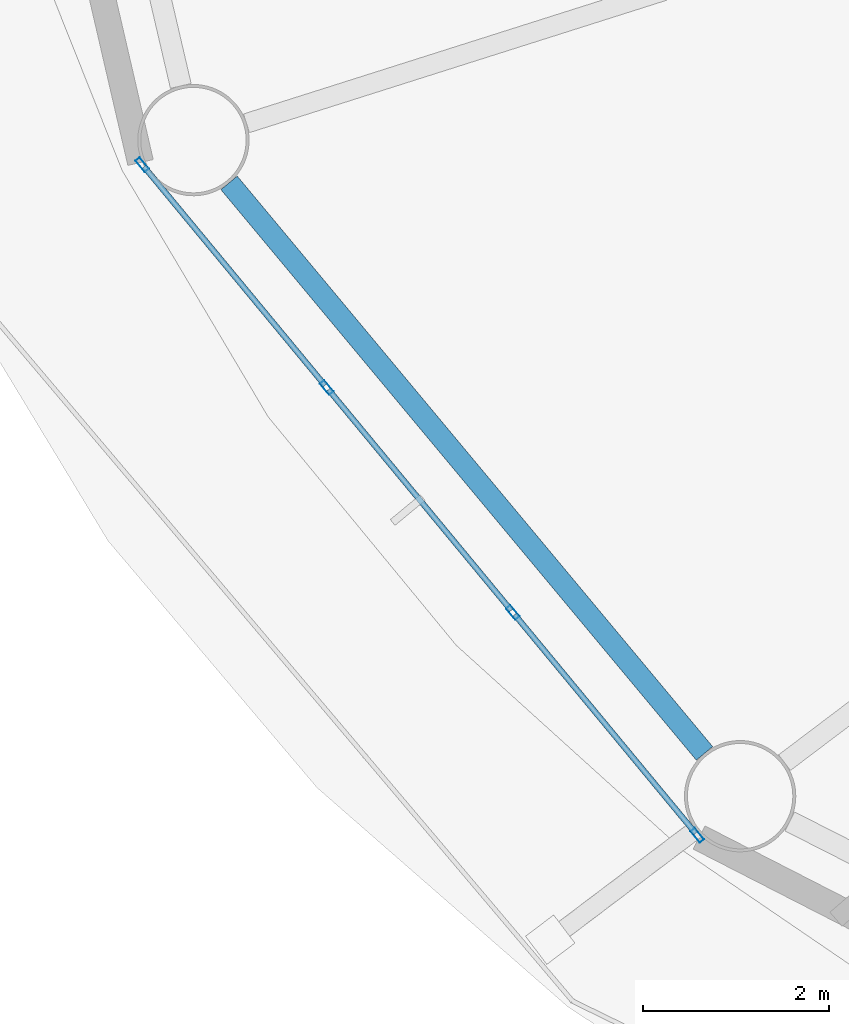
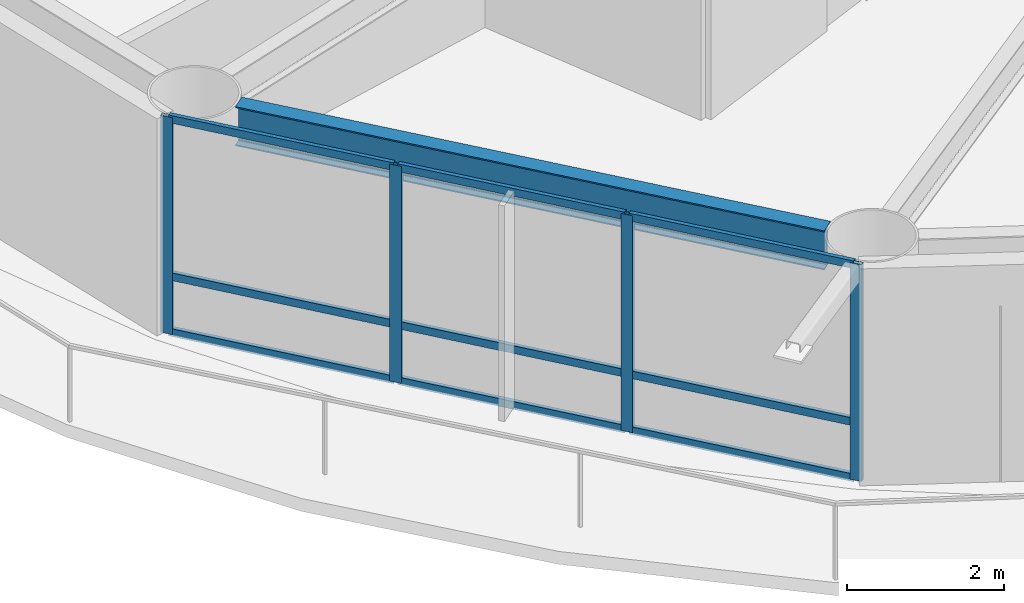
# One storey, part 2 of 24: 13 members, 1 beam, 1 element without a shape of its own.
"""IFC4 building model written with IfcOpenShell, lengths in metres."""

from ifc_helpers import new_model, si_unit, direction, frame, origin, origin_2d, place, context, subcontext, project, spatial, hollow_rectangle, i_section, extrude, material, layer, layer_set, material_profile, profile_set, type_object, element, aggregate, save


model = new_model("IFC4")

# Units and contexts
model_context = context("Model", 3, precision=1e-05, world=origin(), true_north=direction((0.0, 1.0)))
body_context = subcontext(model_context, "Body", "Model", "MODEL_VIEW")
ifc_project = project(units=[si_unit("LENGTHUNIT", "METRE"), si_unit("AREAUNIT", "SQUARE_METRE"), si_unit("VOLUMEUNIT", "CUBIC_METRE"), si_unit("PLANEANGLEUNIT", "RADIAN"), si_unit("MASSUNIT", "GRAM", prefix="KILO")], contexts=[model_context])

# Site, building, storey
site_placement = place(None, origin())
site = spatial("IfcSite", under=ifc_project, at=site_placement, CompositionType="ELEMENT")
building_placement = place(site_placement, origin())
building = spatial("IfcBuilding", under=site, at=building_placement, Name="Sarneth Arch Tower", CompositionType="ELEMENT")
storey_placement = place(building_placement, frame((0.0, 0.0, 105.60009765625)))
storey = spatial("IfcBuildingStorey", under=building, at=storey_placement, Name="L26", CompositionType="ELEMENT", Elevation=105.60009765625)

# Beam
ifc_material_1 = material(Name="Steel S355", Category="steel")
ifc_material_profile_1 = material_profile(ifc_material_1, i_section(OverallWidth=0.22900390625, OverallDepth=0.612060546875, WebThickness=0.011962890625, FlangeThickness=0.01953125, FilletRadius=0.01904296875, at=origin_2d()), Name="W610x125")
ifc_profile_set_1 = profile_set([ifc_material_profile_1], Name="Steel S355")
beam_type = type_object("IfcBeamType", Name="BM-SPAN-610C", PredefinedType="SPANDREL", material=ifc_profile_set_1)
beam_placement = place(storey_placement, frame((22.093017578125, 33.196533203125, 3.073974609375), z_axis=(0.640163403463, -0.768238775946, 0.0), x_axis=(0.768238775946, 0.640163403463, 0.0)))
element("IfcBeam", 1, at=beam_placement, inside=storey, type_object=beam_type, Name="L26 Perimeter spandrel beam 10", PredefinedType="SPANDREL", context=body_context, shape_type="SweptSolid", body=[
    extrude(i_section(OverallWidth=0.22900390625, OverallDepth=0.612060546875, WebThickness=0.011962890625, FlangeThickness=0.01953125, FilletRadius=0.01904296875, at=origin_2d()), origin(), (0.0, 0.0, 1.0), 8.006103515625),
])

# Curtain wall, members
ifc_material_2 = material(Name="Anodised aluminium Type AA25 and solar-control low-e laminated IGU", Category="aluminium")
ifc_layer = layer(ifc_material_2, 0.159912109375)
ifc_layer_set = layer_set([ifc_layer], Name="Anodised aluminium Type AA25 and solar-control low-e laminated IGU")
curtain_wall_type = type_object("IfcCurtainWallType", Name="CW-HOTEL-MID", PredefinedType="NOTDEFINED", material=ifc_layer_set)
curtain_wall_placement = place(storey_placement, origin())
curtain_wall = element("IfcCurtainWall", 2, at=curtain_wall_placement, inside=storey, type_object=curtain_wall_type, Name="L26 Unitised curtain wall facet 10", PredefinedType="NOTDEFINED")
ifc_material_3 = material(Name="Anodised Aluminium 6063-T6", Category="aluminium")
ifc_material_profile_2 = material_profile(ifc_material_3, hollow_rectangle(XDim=0.06005859375, YDim=0.159912109375, WallThickness=0.00390625, at=origin_2d()), Name="AL-MULL-160x60x4")
ifc_profile_set_2 = profile_set([ifc_material_profile_2], Name="Anodised Aluminium 6063-T6")
member_type_1 = type_object("IfcMemberType", Name="CW-MULLION", PredefinedType="MULLION", material=ifc_profile_set_2)
member_1_placement = place(storey_placement, frame((21.15771484375, 33.393310546875, 0.0), z_axis=(0.0, 0.0, 1.0), x_axis=(0.770437787363, 0.637515188684, 0.0)))
member_1 = element("IfcMember", 3, at=member_1_placement, type_object=member_type_1, Name="CW-SYS-4 mullion 1", PredefinedType="MULLION", context=body_context, shape_type="SweptSolid", body=[
    extrude(hollow_rectangle(XDim=0.06005859375, YDim=0.159912109375, WallThickness=0.00390625, at=origin_2d()), origin(), (0.0, 0.0, 1.0), 3.3798828125),
])
member_2_placement = place(storey_placement, frame((23.145751953125, 30.99072265625, 0.0), z_axis=(0.0, 0.0, 1.0), x_axis=(0.770437787363, 0.637515188684, 0.0)))
member_2 = element("IfcMember", 4, at=member_2_placement, type_object=member_type_1, Name="CW-SYS-4 mullion 2", PredefinedType="MULLION", context=body_context, shape_type="SweptSolid", body=[
    extrude(hollow_rectangle(XDim=0.06005859375, YDim=0.159912109375, WallThickness=0.00390625, at=origin_2d()), origin(), (0.0, 0.0, 1.0), 3.3798828125),
])
member_3_placement = place(storey_placement, frame((25.15283203125, 28.565185546875, 0.0), z_axis=(0.0, 0.0, 1.0), x_axis=(0.770437787363, 0.637515188684, 0.0)))
member_3 = element("IfcMember", 5, at=member_3_placement, type_object=member_type_1, Name="CW-SYS-4 mullion 3", PredefinedType="MULLION", context=body_context, shape_type="SweptSolid", body=[
    extrude(hollow_rectangle(XDim=0.06005859375, YDim=0.159912109375, WallThickness=0.00390625, at=origin_2d()), origin(), (0.0, 0.0, 1.0), 3.3798828125),
])
member_4_placement = place(storey_placement, frame((27.140869140625, 26.16259765625, 0.0), z_axis=(0.0, 0.0, 1.0), x_axis=(0.770437787363, 0.637515188684, 0.0)))
member_4 = element("IfcMember", 6, at=member_4_placement, type_object=member_type_1, Name="CW-SYS-4 mullion 4", PredefinedType="MULLION", context=body_context, shape_type="SweptSolid", body=[
    extrude(hollow_rectangle(XDim=0.06005859375, YDim=0.159912109375, WallThickness=0.00390625, at=origin_2d()), origin(), (0.0, 0.0, 1.0), 3.3798828125),
])
ifc_material_4 = material(Name="Anodised Aluminium 6063-T6", Category="aluminium")
ifc_material_profile_3 = material_profile(ifc_material_4, hollow_rectangle(XDim=0.06005859375, YDim=0.1201171875, WallThickness=0.00390625, at=origin_2d()), Name="AL-TRAN-120x60x4")
ifc_profile_set_3 = profile_set([ifc_material_profile_3], Name="Anodised Aluminium 6063-T6")
member_type_2 = type_object("IfcMemberType", Name="CW-TRANSOM", PredefinedType="USERDEFINED", material=ifc_profile_set_3)
member_5_placement = place(storey_placement, frame((21.1767578125, 33.3701171875, 0.02978515625), z_axis=(0.637566080343, -0.770395673142, 0.0), x_axis=(0.770395673142, 0.637566080343, 0.0)))
member_5 = element("IfcMember", 7, at=member_5_placement, type_object=member_type_2, Name="CW-SYS-4 transom 1.1", ObjectType="TRANSOM", PredefinedType="USERDEFINED", context=body_context, shape_type="SweptSolid", body=[
    extrude(hollow_rectangle(XDim=0.06005859375, YDim=0.1201171875, WallThickness=0.00390625, at=origin_2d()), origin(), (0.0, 0.0, 1.0), 3.058349609375),
])
member_6_placement = place(storey_placement, frame((21.1767578125, 33.3701171875, 0.89990234375), z_axis=(0.637566080343, -0.770395673142, 0.0), x_axis=(0.770395673142, 0.637566080343, 0.0)))
member_6 = element("IfcMember", 8, at=member_6_placement, type_object=member_type_2, Name="CW-SYS-4 transom 1.2", ObjectType="TRANSOM", PredefinedType="USERDEFINED", context=body_context, shape_type="SweptSolid", body=[
    extrude(hollow_rectangle(XDim=0.06005859375, YDim=0.1201171875, WallThickness=0.00390625, at=origin_2d()), origin(), (0.0, 0.0, 1.0), 3.058349609375),
])
member_7_placement = place(storey_placement, frame((21.1767578125, 33.3701171875, 3.349853515625), z_axis=(0.637566080343, -0.770395673142, 0.0), x_axis=(0.770395673142, 0.637566080343, 0.0)))
member_7 = element("IfcMember", 9, at=member_7_placement, type_object=member_type_2, Name="CW-SYS-4 transom 1.3", ObjectType="TRANSOM", PredefinedType="USERDEFINED", context=body_context, shape_type="SweptSolid", body=[
    extrude(hollow_rectangle(XDim=0.06005859375, YDim=0.1201171875, WallThickness=0.00390625, at=origin_2d()), origin(), (0.0, 0.0, 1.0), 3.058349609375),
])
member_8_placement = place(storey_placement, frame((23.164794921875, 30.9677734375, 0.02978515625), z_axis=(0.637536975021, -0.770419759275, 0.0), x_axis=(0.770419759275, 0.637536975021, 0.0)))
member_8 = element("IfcMember", 10, at=member_8_placement, type_object=member_type_2, Name="CW-SYS-4 transom 2.1", ObjectType="TRANSOM", PredefinedType="USERDEFINED", context=body_context, shape_type="SweptSolid", body=[
    extrude(hollow_rectangle(XDim=0.06005859375, YDim=0.1201171875, WallThickness=0.00390625, at=origin_2d()), origin(), (0.0, 0.0, 1.0), 3.08837890625),
])
member_9_placement = place(storey_placement, frame((23.164794921875, 30.9677734375, 0.89990234375), z_axis=(0.637536975021, -0.770419759275, 0.0), x_axis=(0.770419759275, 0.637536975021, 0.0)))
member_9 = element("IfcMember", 11, at=member_9_placement, type_object=member_type_2, Name="CW-SYS-4 transom 2.2", ObjectType="TRANSOM", PredefinedType="USERDEFINED", context=body_context, shape_type="SweptSolid", body=[
    extrude(hollow_rectangle(XDim=0.06005859375, YDim=0.1201171875, WallThickness=0.00390625, at=origin_2d()), origin(), (0.0, 0.0, 1.0), 3.08837890625),
])
member_10_placement = place(storey_placement, frame((23.164794921875, 30.9677734375, 3.349853515625), z_axis=(0.637536975021, -0.770419759275, 0.0), x_axis=(0.770419759275, 0.637536975021, 0.0)))
member_10 = element("IfcMember", 12, at=member_10_placement, type_object=member_type_2, Name="CW-SYS-4 transom 2.3", ObjectType="TRANSOM", PredefinedType="USERDEFINED", context=body_context, shape_type="SweptSolid", body=[
    extrude(hollow_rectangle(XDim=0.06005859375, YDim=0.1201171875, WallThickness=0.00390625, at=origin_2d()), origin(), (0.0, 0.0, 1.0), 3.08837890625),
])
member_11_placement = place(storey_placement, frame((25.171875, 28.5419921875, 0.02978515625), z_axis=(0.637566080343, -0.770395673142, 0.0), x_axis=(0.770395673142, 0.637566080343, 0.0)))
member_11 = element("IfcMember", 13, at=member_11_placement, type_object=member_type_2, Name="CW-SYS-4 transom 3.1", ObjectType="TRANSOM", PredefinedType="USERDEFINED", context=body_context, shape_type="SweptSolid", body=[
    extrude(hollow_rectangle(XDim=0.06005859375, YDim=0.1201171875, WallThickness=0.00390625, at=origin_2d()), origin(), (0.0, 0.0, 1.0), 3.058349609375),
])
member_12_placement = place(storey_placement, frame((25.171875, 28.5419921875, 0.89990234375), z_axis=(0.637566080343, -0.770395673142, 0.0), x_axis=(0.770395673142, 0.637566080343, 0.0)))
member_12 = element("IfcMember", 14, at=member_12_placement, type_object=member_type_2, Name="CW-SYS-4 transom 3.2", ObjectType="TRANSOM", PredefinedType="USERDEFINED", context=body_context, shape_type="SweptSolid", body=[
    extrude(hollow_rectangle(XDim=0.06005859375, YDim=0.1201171875, WallThickness=0.00390625, at=origin_2d()), origin(), (0.0, 0.0, 1.0), 3.058349609375),
])
member_13_placement = place(storey_placement, frame((25.171875, 28.5419921875, 3.349853515625), z_axis=(0.637566080343, -0.770395673142, 0.0), x_axis=(0.770395673142, 0.637566080343, 0.0)))
member_13 = element("IfcMember", 15, at=member_13_placement, type_object=member_type_2, Name="CW-SYS-4 transom 3.3", ObjectType="TRANSOM", PredefinedType="USERDEFINED", context=body_context, shape_type="SweptSolid", body=[
    extrude(hollow_rectangle(XDim=0.06005859375, YDim=0.1201171875, WallThickness=0.00390625, at=origin_2d()), origin(), (0.0, 0.0, 1.0), 3.058349609375),
])
aggregate(curtain_wall, [member_1, member_2, member_3, member_4, member_5, member_6, member_7, member_8, member_9, member_10, member_11, member_12, member_13])

save(model, "model.ifc")
